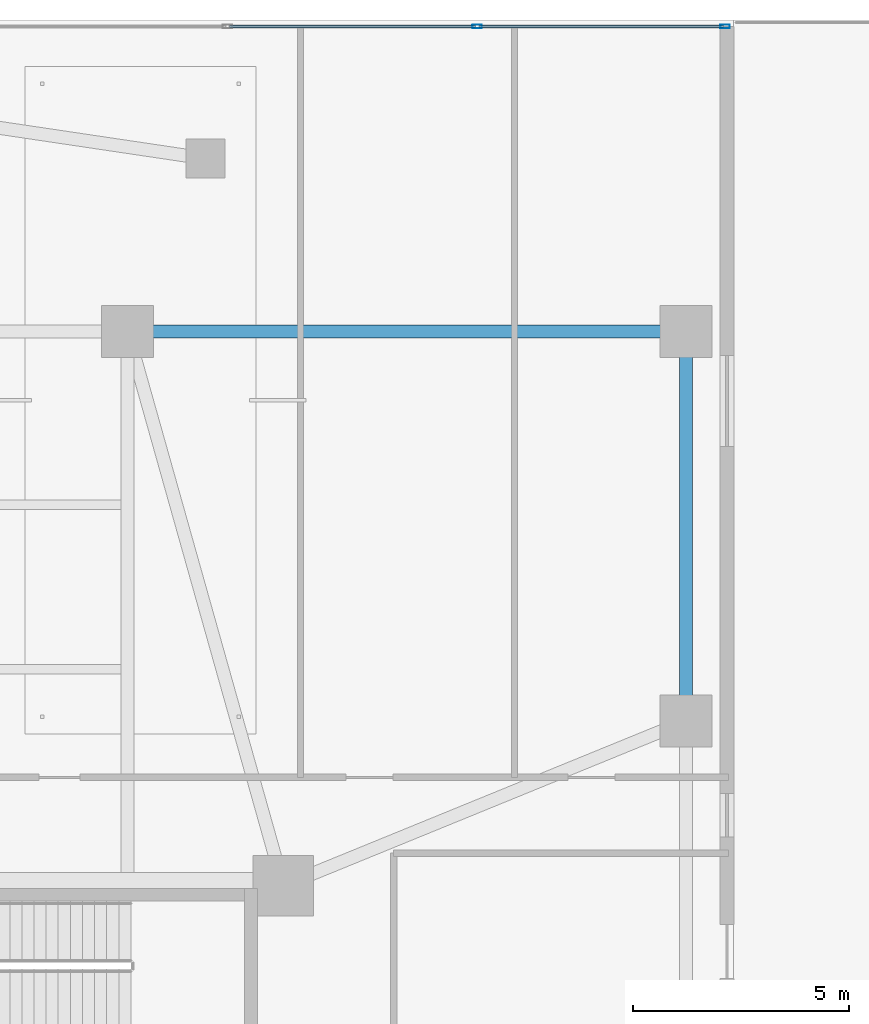
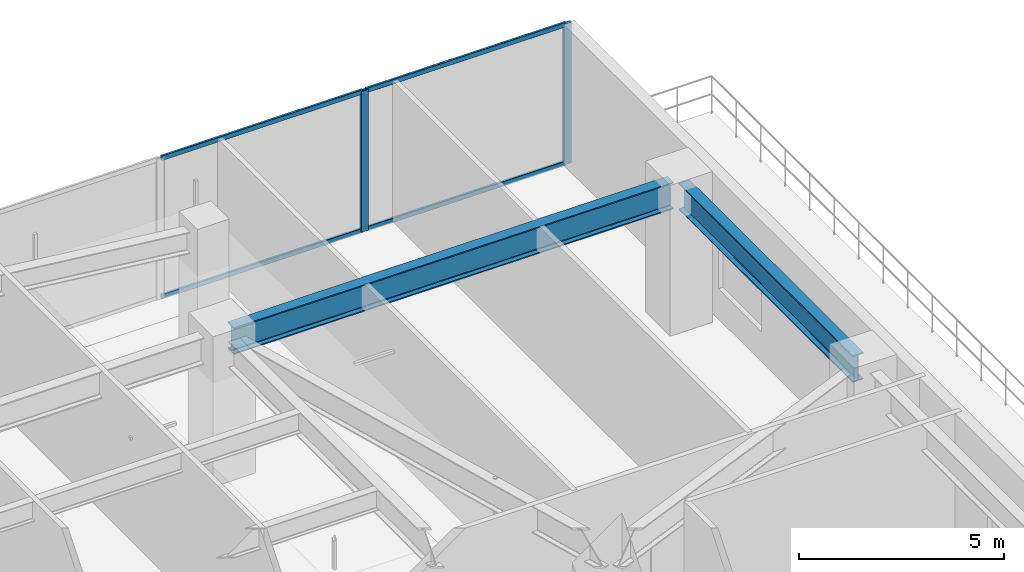
# One storey, part 15 of 27: 6 members, 2 beams, 1 element without a shape of its own.
"""IFC4 building model written with IfcOpenShell, lengths in metres."""

from ifc_helpers import new_model, si_unit, direction, frame, origin, origin_2d, place, context, subcontext, project, spatial, hollow_rectangle, i_section, extrude, material, layer, layer_set, material_profile, profile_set, type_object, element, aggregate, save


model = new_model("IFC4")

# Units and contexts
model_context = context("Model", 3, precision=1e-05, world=origin(), true_north=direction((0.0, 1.0)))
body_context = subcontext(model_context, "Body", "Model", "MODEL_VIEW")
ifc_project = project(units=[si_unit("LENGTHUNIT", "METRE"), si_unit("AREAUNIT", "SQUARE_METRE"), si_unit("VOLUMEUNIT", "CUBIC_METRE"), si_unit("PLANEANGLEUNIT", "RADIAN"), si_unit("MASSUNIT", "GRAM", prefix="KILO")], contexts=[model_context])

# Site, building, storey
site_placement = place(None, origin())
site = spatial("IfcSite", under=ifc_project, at=site_placement, CompositionType="ELEMENT")
building_placement = place(site_placement, origin())
building = spatial("IfcBuilding", under=site, at=building_placement, Name="Tarnavaz Court Tower", CompositionType="ELEMENT")
storey_placement = place(building_placement, frame((0.0, 0.0, 9.89990234375)))
storey = spatial("IfcBuildingStorey", under=building, at=storey_placement, Name="L02", CompositionType="ELEMENT", Elevation=9.89990234375)

# Beams
ifc_material_1 = material(Name="Steel S355", Category="steel")
ifc_material_profile_1 = material_profile(ifc_material_1, i_section(OverallWidth=0.300048828125, OverallDepth=0.800048828125, WebThickness=0.017578125, FlangeThickness=0.032958984375, FilletRadius=0.030029296875, at=origin_2d()), Name="HEB 800")
ifc_profile_set_1 = profile_set([ifc_material_profile_1], Name="Steel S355")
beam_type = type_object("IfcBeamType", Name="BM-G-HEB800", PredefinedType="USERDEFINED", material=ifc_profile_set_1)
beam_1_placement = place(storey_placement, frame((15.25, 22.800048828125, 3.800048828125), z_axis=(1.0, 0.0, 0.0), x_axis=(0.0, 1.0, 0.0)))
element("IfcBeam", 1, at=beam_1_placement, inside=storey, type_object=beam_type, Name="L02 Beam PM-PM-N3-PM-NE", ObjectType="GIRDER", PredefinedType="USERDEFINED", context=body_context, shape_type="SweptSolid", body=[
    extrude(i_section(OverallWidth=0.300048828125, OverallDepth=0.800048828125, WebThickness=0.017578125, FlangeThickness=0.032958984375, FilletRadius=0.030029296875, at=origin_2d()), origin(), (0.0, 0.0, 1.0), 12.39990234375),
])
beam_2_placement = place(storey_placement, frame((27.89990234375, 14.050048828125, 3.800048828125), z_axis=(0.0, 1.0, 0.0), x_axis=(-1.0, 0.0, 0.0)))
element("IfcBeam", 2, at=beam_2_placement, inside=storey, type_object=beam_type, Name="L02 Beam PM-PM-E3-PM-NE", ObjectType="GIRDER", PredefinedType="USERDEFINED", context=body_context, shape_type="SweptSolid", body=[
    extrude(i_section(OverallWidth=0.300048828125, OverallDepth=0.800048828125, WebThickness=0.017578125, FlangeThickness=0.032958984375, FilletRadius=0.030029296875, at=origin_2d()), origin(), (0.0, 0.0, 1.0), 8.5),
])

# Curtain wall, members
ifc_material_2 = material(Name="Anodised Aluminium 6063-T6 and Solar Low-E Glazing", Category="aluminium")
ifc_layer = layer(ifc_material_2, 0.18994140625)
ifc_layer_set = layer_set([ifc_layer], Name="Anodised Aluminium 6063-T6 and Solar Low-E Glazing")
curtain_wall_type = type_object("IfcCurtainWallType", Name="CW-SYS-01", PredefinedType="NOTDEFINED", material=ifc_layer_set)
curtain_wall_placement = place(storey_placement, origin())
curtain_wall = element("IfcCurtainWall", 3, at=curtain_wall_placement, inside=storey, type_object=curtain_wall_type, Name="L02 Clinic Podium Curtain Wall 1", PredefinedType="NOTDEFINED")
ifc_material_3 = material(Name="Anodised Aluminium 6063-T6", Category="aluminium")
ifc_material_profile_2 = material_profile(ifc_material_3, hollow_rectangle(XDim=0.0849609375, YDim=0.219970703125, WallThickness=0.006103515625, InnerFilletRadius=0.006103515625, OuterFilletRadius=0.011962890625, at=origin_2d()), Name="ALU RHS 220X85X6")
ifc_profile_set_2 = profile_set([ifc_material_profile_2], Name="Anodised Aluminium 6063-T6")
member_type_1 = type_object("IfcMemberType", Name="CW-MUL-220", PredefinedType="MULLION", material=ifc_profile_set_2)
member_1_placement = place(storey_placement, frame((23.080078125, 29.85009765625, 0.0), z_axis=(0.0, 0.0, 1.0), x_axis=(0.0, 1.0, 0.0)))
member_1 = element("IfcMember", 4, at=member_1_placement, type_object=member_type_1, Name="CW mullion 10", PredefinedType="MULLION", context=body_context, shape_type="SweptSolid", body=[
    extrude(hollow_rectangle(XDim=0.0849609375, YDim=0.219970703125, WallThickness=0.006103515625, InnerFilletRadius=0.006103515625, OuterFilletRadius=0.011962890625, at=origin_2d()), origin(), (0.0, 0.0, 1.0), 4.2001953125),
])
member_2_placement = place(storey_placement, frame((28.8076171875, 29.85009765625, 0.0), z_axis=(0.0, 0.0, 1.0), x_axis=(0.0, 1.0, 0.0)))
member_2 = element("IfcMember", 5, at=member_2_placement, type_object=member_type_1, Name="CW mullion 11", PredefinedType="MULLION", context=body_context, shape_type="SweptSolid", body=[
    extrude(hollow_rectangle(XDim=0.0849609375, YDim=0.219970703125, WallThickness=0.006103515625, InnerFilletRadius=0.006103515625, OuterFilletRadius=0.011962890625, at=origin_2d()), origin(), (0.0, 0.0, 1.0), 4.2001953125),
])
ifc_material_profile_3 = material_profile(ifc_material_3, hollow_rectangle(XDim=0.06494140625, YDim=0.139892578125, WallThickness=0.00390625, InnerFilletRadius=0.00390625, OuterFilletRadius=0.008056640625, at=origin_2d()), Name="ALU RHS 140X65X4")
ifc_profile_set_3 = profile_set([ifc_material_profile_3], Name="Anodised Aluminium 6063-T6")
member_type_2 = type_object("IfcMemberType", Name="CW-TRN-140", PredefinedType="USERDEFINED", material=ifc_profile_set_3)
member_3_placement = place(storey_placement, frame((17.3525390625, 29.85009765625, 0.03271484375), z_axis=(1.0, 0.0, 0.0), x_axis=(0.0, 1.0, 0.0)))
member_3 = element("IfcMember", 6, at=member_3_placement, type_object=member_type_2, Name="CW transom 9.1", ObjectType="TRANSOM", PredefinedType="USERDEFINED", context=body_context, shape_type="SweptSolid", body=[
    extrude(hollow_rectangle(XDim=0.06494140625, YDim=0.139892578125, WallThickness=0.00390625, InnerFilletRadius=0.00390625, OuterFilletRadius=0.008056640625, at=origin_2d()), origin(), (0.0, 0.0, 1.0), 5.68505859375),
])
member_4_placement = place(storey_placement, frame((17.3525390625, 29.85009765625, 4.16748046875), z_axis=(1.0, 0.0, 0.0), x_axis=(0.0, 1.0, 0.0)))
member_4 = element("IfcMember", 7, at=member_4_placement, type_object=member_type_2, Name="CW transom 9.2", ObjectType="TRANSOM", PredefinedType="USERDEFINED", context=body_context, shape_type="SweptSolid", body=[
    extrude(hollow_rectangle(XDim=0.06494140625, YDim=0.139892578125, WallThickness=0.00390625, InnerFilletRadius=0.00390625, OuterFilletRadius=0.008056640625, at=origin_2d()), origin(), (0.0, 0.0, 1.0), 5.68505859375),
])
member_5_placement = place(storey_placement, frame((23.12255859375, 29.85009765625, 0.03271484375), z_axis=(1.0, 0.0, 0.0), x_axis=(0.0, 1.0, 0.0)))
member_5 = element("IfcMember", 8, at=member_5_placement, type_object=member_type_2, Name="CW transom 10.1", ObjectType="TRANSOM", PredefinedType="USERDEFINED", context=body_context, shape_type="SweptSolid", body=[
    extrude(hollow_rectangle(XDim=0.06494140625, YDim=0.139892578125, WallThickness=0.00390625, InnerFilletRadius=0.00390625, OuterFilletRadius=0.008056640625, at=origin_2d()), origin(), (0.0, 0.0, 1.0), 5.642333984375),
])
member_6_placement = place(storey_placement, frame((23.12255859375, 29.85009765625, 4.16748046875), z_axis=(1.0, 0.0, 0.0), x_axis=(0.0, 1.0, 0.0)))
member_6 = element("IfcMember", 9, at=member_6_placement, type_object=member_type_2, Name="CW transom 10.2", ObjectType="TRANSOM", PredefinedType="USERDEFINED", context=body_context, shape_type="SweptSolid", body=[
    extrude(hollow_rectangle(XDim=0.06494140625, YDim=0.139892578125, WallThickness=0.00390625, InnerFilletRadius=0.00390625, OuterFilletRadius=0.008056640625, at=origin_2d()), origin(), (0.0, 0.0, 1.0), 5.642333984375),
])
aggregate(curtain_wall, [member_1, member_2, member_3, member_4, member_5, member_6])

save(model, "model.ifc")
